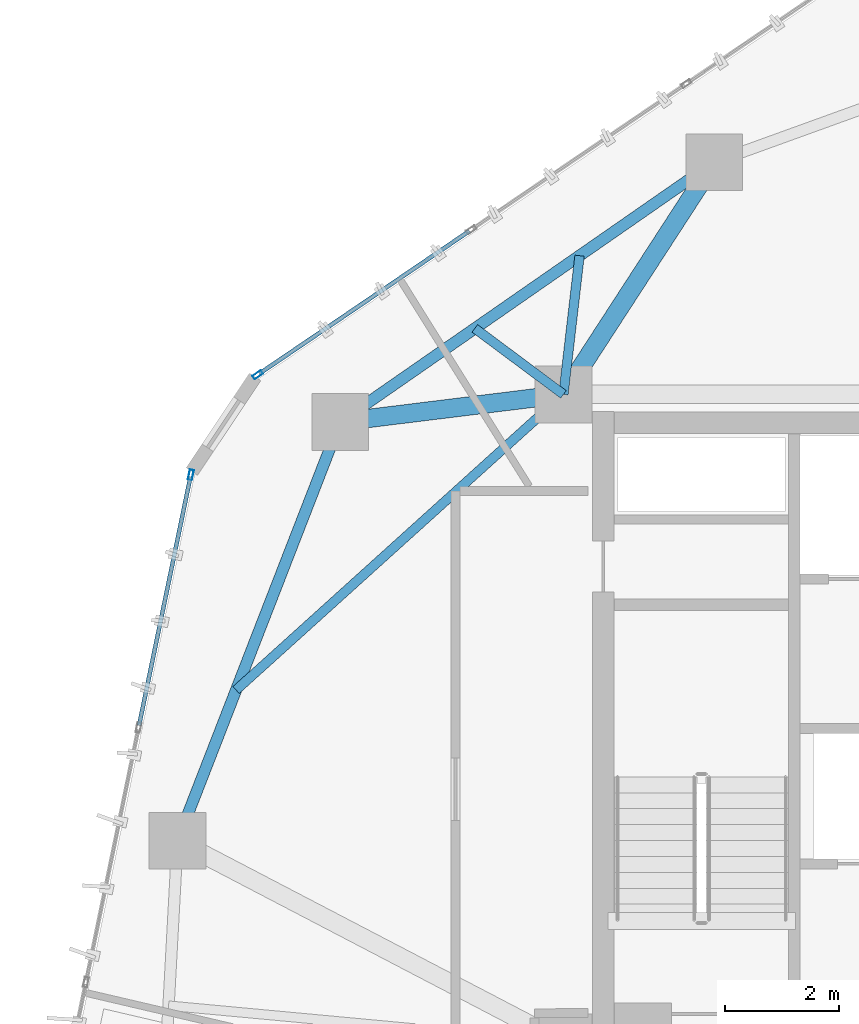
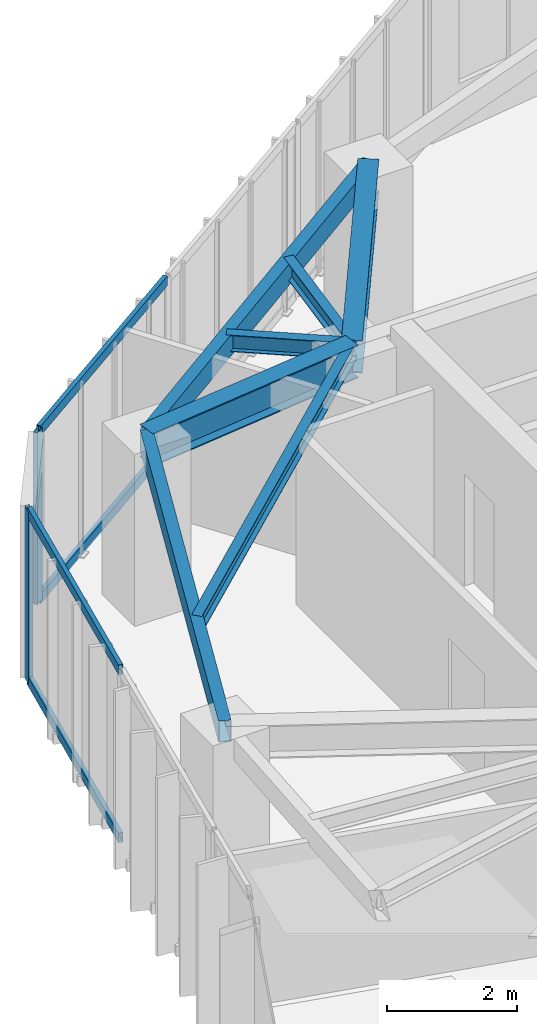
# One storey, part 7 of 20: 7 beams, 6 members, 2 elements without a shape of their own.
"""IFC4 building model written with IfcOpenShell, lengths in metres."""

from ifc_helpers import new_model, si_unit, direction, frame, origin, origin_2d, place, context, subcontext, project, spatial, hollow_rectangle, i_section, extrude, source, transform, mapped, material, layer, layer_set, material_profile, profile_set, type_object, type_shapes, element, aggregate, save


model = new_model("IFC4")

# Units and contexts
model_context = context("Model", 3, precision=1e-05, world=origin(), true_north=direction((0.0, 1.0)))
body_context = subcontext(model_context, "Body", "Model", "MODEL_VIEW")
ifc_project = project(units=[si_unit("LENGTHUNIT", "METRE"), si_unit("AREAUNIT", "SQUARE_METRE"), si_unit("VOLUMEUNIT", "CUBIC_METRE"), si_unit("PLANEANGLEUNIT", "RADIAN"), si_unit("MASSUNIT", "GRAM", prefix="KILO")], contexts=[model_context])

# Site, building, storey
site_placement = place(None, origin())
site = spatial("IfcSite", under=ifc_project, at=site_placement, CompositionType="ELEMENT")
building_placement = place(site_placement, origin())
building = spatial("IfcBuilding", under=site, at=building_placement, Name="Talar Marvaseh", CompositionType="ELEMENT")
storey_placement = place(building_placement, frame((0.0, 0.0, 191.5)))
storey = spatial("IfcBuildingStorey", under=building, at=storey_placement, Name="L50", CompositionType="ELEMENT", Elevation=191.5)

# Beams
ifc_material_1 = material(Name="Steel S355", Category="steel")
ifc_material_profile_1 = material_profile(ifc_material_1, hollow_rectangle(XDim=0.199951171875, YDim=0.39990234375, WallThickness=0.013916015625, at=origin_2d()), Name="RHS400x200x14")
ifc_profile_set_1 = profile_set([ifc_material_profile_1], Name="Steel S355")
beam_type_1 = type_object("IfcBeamType", Name="Zone 3 Perimeter Spandrel Beam RHS400x200x14", PredefinedType="SPANDREL", material=ifc_profile_set_1)
beam_1_placement = place(storey_placement, frame((11.908935546875, 29.044921875, 3.030029296875), z_axis=(0.362169134611, 0.932112395548, 0.0), x_axis=(-0.932112395548, 0.362169134611, 0.0)))
element("IfcBeam", 1, at=beam_1_placement, inside=storey, type_object=beam_type_1, Name="L50 Zone 3 Perimeter Spandrel Beam RHS400x200x14", PredefinedType="SPANDREL", context=body_context, shape_type="SweptSolid", body=[
    extrude(hollow_rectangle(XDim=0.199951171875, YDim=0.39990234375, WallThickness=0.013916015625, at=origin_2d()), origin(), (0.0, 0.0, 1.0), 7.907958984375),
])
beam_2_placement = place(storey_placement, frame((14.77294921875, 36.416015625, 3.030029296875), z_axis=(0.821296978901, 0.570500896098, 0.0), x_axis=(-0.570500896098, 0.821296978901, 0.0)))
element("IfcBeam", 2, at=beam_2_placement, inside=storey, type_object=beam_type_1, Name="L50 Zone 3 Perimeter Spandrel Beam RHS400x200x14", PredefinedType="SPANDREL", context=body_context, shape_type="SweptSolid", body=[
    extrude(hollow_rectangle(XDim=0.199951171875, YDim=0.39990234375, WallThickness=0.013916015625, at=origin_2d()), origin(), (0.0, 0.0, 1.0), 8.0107421875),
])
ifc_material_profile_2 = material_profile(ifc_material_1, i_section(OverallWidth=0.324951171875, OverallDepth=0.615966796875, WebThickness=0.013916015625, FlangeThickness=0.021484375, at=origin_2d()), Name="W610x174")
ifc_profile_set_2 = profile_set([ifc_material_profile_2], Name="Steel S355")
beam_type_2 = type_object("IfcBeamType", Name="Zone 3 Radial Floor Girder W610x174", PredefinedType="BEAM", material=ifc_profile_set_2)
beam_3_placement = place(storey_placement, frame((14.77294921875, 36.416015625, 2.922119140625), z_axis=(0.99249373738, 0.122295467049, 0.0), x_axis=(-0.122295467049, 0.99249373738, 0.0)))
element("IfcBeam", 3, at=beam_3_placement, inside=storey, type_object=beam_type_2, Name="L50 Zone 3 Radial Floor Girder W610x174", PredefinedType="BEAM", context=body_context, shape_type="SweptSolid", body=[
    extrude(i_section(OverallWidth=0.324951171875, OverallDepth=0.615966796875, WebThickness=0.013916015625, FlangeThickness=0.021484375, at=origin_2d()), origin(), (0.0, 0.0, 1.0), 3.956787109375),
])
beam_4_placement = place(storey_placement, frame((21.35205078125, 40.986083984375, 2.922119140625), z_axis=(-0.544422757063, -0.838810980849, 0.0), x_axis=(0.838810980849, -0.544422757063, 0.0)))
element("IfcBeam", 4, at=beam_4_placement, inside=storey, type_object=beam_type_2, Name="L50 Zone 3 Radial Floor Girder W610x174", PredefinedType="BEAM", context=body_context, shape_type="SweptSolid", body=[
    extrude(i_section(OverallWidth=0.324951171875, OverallDepth=0.615966796875, WebThickness=0.013916015625, FlangeThickness=0.021484375, at=origin_2d()), origin(), (0.0, 0.0, 1.0), 4.871337890625),
])
ifc_material_profile_3 = material_profile(ifc_material_1, i_section(OverallWidth=0.166015625, OverallDepth=0.31298828125, WebThickness=0.006591796875, FlangeThickness=0.01123046875, at=origin_2d()), Name="W310x45")
ifc_profile_set_3 = profile_set([ifc_material_profile_3], Name="Steel S355")
beam_type_3 = type_object("IfcBeamType", Name="Zone 3 Secondary Floor Joist W310x45", PredefinedType="JOIST", material=ifc_profile_set_3)
beam_5_placement = place(storey_placement, frame((12.93994140625, 31.698486328125, 3.073486328125), z_axis=(0.74217784775, 0.670202985899, 0.0), x_axis=(-0.670202985899, 0.74217784775, 0.0)))
element("IfcBeam", 5, at=beam_5_placement, inside=storey, type_object=beam_type_3, Name="L50 Zone 3 Secondary Floor Joist W310x45", PredefinedType="JOIST", context=body_context, shape_type="SweptSolid", body=[
    extrude(i_section(OverallWidth=0.166015625, OverallDepth=0.31298828125, WebThickness=0.006591796875, FlangeThickness=0.01123046875, at=origin_2d()), origin(), (0.0, 0.0, 1.0), 7.760986328125),
])
beam_6_placement = place(storey_placement, frame((17.141357421875, 38.061279296875, 3.073486328125), z_axis=(0.801865127607, -0.597505077072, 0.0), x_axis=(0.597505077072, 0.801865127607, 0.0)))
element("IfcBeam", 6, at=beam_6_placement, inside=storey, type_object=beam_type_3, Name="L50 Zone 3 Secondary Floor Joist W310x45", PredefinedType="JOIST", context=body_context, shape_type="SweptSolid", body=[
    extrude(i_section(OverallWidth=0.166015625, OverallDepth=0.31298828125, WebThickness=0.006591796875, FlangeThickness=0.01123046875, at=origin_2d()), origin(), (0.0, 0.0, 1.0), 1.943603515625),
])
beam_7_placement = place(storey_placement, frame((18.983642578125, 39.3408203125, 3.073486328125), z_axis=(-0.115446145895, -0.993313740667, 0.0), x_axis=(0.993313740667, -0.115446145895, 0.0)))
element("IfcBeam", 7, at=beam_7_placement, inside=storey, type_object=beam_type_3, Name="L50 Zone 3 Secondary Floor Joist W310x45", PredefinedType="JOIST", context=body_context, shape_type="SweptSolid", body=[
    extrude(i_section(OverallWidth=0.166015625, OverallDepth=0.31298828125, WebThickness=0.006591796875, FlangeThickness=0.01123046875, at=origin_2d()), origin(), (0.0, 0.0, 1.0), 2.457275390625),
])

# Curtain wall, member
ifc_material_2 = material(Name="Architectural Aluminium", Category="aluminium")
ifc_layer = layer(ifc_material_2, 0.18994140625)
ifc_layer_set = layer_set([ifc_layer], Name="Architectural Aluminium")
curtain_wall_type = type_object("IfcCurtainWallType", Name="Unitised Solar Atelier Curtain Wall Z3", PredefinedType="NOTDEFINED", material=ifc_layer_set)
curtain_wall_1_placement = place(storey_placement, origin())
curtain_wall_1 = element("IfcCurtainWall", 8, at=curtain_wall_1_placement, inside=storey, type_object=curtain_wall_type, Name="L50 Unitised Solar Atelier Curtain Wall Z3", PredefinedType="NOTDEFINED")
ifc_material_profile_4 = material_profile(ifc_material_2, hollow_rectangle(XDim=0.074951171875, YDim=0.179931640625, WallThickness=0.0048828125, at=origin_2d()), Name="RHS180x75x5")
ifc_profile_set_4 = profile_set([ifc_material_profile_4], Name="Architectural Aluminium")
member_type_1 = type_object("IfcMemberType", Name="Unitised Curtain Wall Standard Mullion RHS180x75x5", PredefinedType="MULLION", material=ifc_profile_set_4)
shared_shape_1 = source(origin(), body_context, "Body", "SweptSolid", [
    extrude(hollow_rectangle(XDim=0.074951171875, YDim=0.179931640625, WallThickness=0.0048828125, at=origin_2d()), origin(), (0.0, 0.0, 1.0), 3.22998046875),
])
type_shapes(member_type_1, [shared_shape_1])
member_1_placement = place(storey_placement, frame((12.144287109375, 35.484619140625, 0.0), z_axis=(0.0, 0.0, 1.0), x_axis=(-0.979286418832, 0.202479899967, 0.0)))
member_1 = element("IfcMember", 9, at=member_1_placement, type_object=member_type_1, Name="CW-Z3 mullion 4", PredefinedType="MULLION", context=body_context, shape_type="MappedRepresentation", body=[
    mapped(shared_shape_1, transform((0.0, 0.0, 0.0), x_axis=(1.0, 0.0, 0.0), y_axis=(0.0, 1.0, 0.0), z_axis=(0.0, 0.0, 1.0), scale=1.0)),
])

curtain_wall_2_placement = place(storey_placement, origin())
curtain_wall_2 = element("IfcCurtainWall", 10, at=curtain_wall_2_placement, inside=storey, type_object=curtain_wall_type, Name="L50 Unitised Solar Atelier Curtain Wall Z3", PredefinedType="NOTDEFINED")
member_2_placement = place(storey_placement, frame((13.32080078125, 37.245361328125, 0.0), z_axis=(0.0, 0.0, 1.0), x_axis=(-0.561827090488, 0.827254688952, 0.0)))
member_2 = element("IfcMember", 11, at=member_2_placement, type_object=member_type_1, Name="CW-Z3 mullion 1", PredefinedType="MULLION", context=body_context, shape_type="MappedRepresentation", body=[
    mapped(shared_shape_1, transform((0.0, 0.0, 0.0), x_axis=(1.0, 0.0, 0.0), y_axis=(0.0, 1.0, 0.0), z_axis=(0.0, 0.0, 1.0), scale=1.0)),
])

# Member
ifc_material_profile_5 = material_profile(ifc_material_2, hollow_rectangle(XDim=0.074951171875, YDim=0.179931640625, WallThickness=0.0048828125, at=origin_2d()), Name="RHS180x75x5")
ifc_profile_set_5 = profile_set([ifc_material_profile_5], Name="Architectural Aluminium")
member_type_2 = type_object("IfcMemberType", Name="Unitised Curtain Wall Transom RHS180x75x5", PredefinedType="USERDEFINED", material=ifc_profile_set_5)
shared_shape_2 = source(origin(), body_context, "Body", "SweptSolid", [
    extrude(hollow_rectangle(XDim=0.074951171875, YDim=0.179931640625, WallThickness=0.0048828125, at=origin_2d()), origin(), (0.0, 0.0, 1.0), 4.464599609375),
])
member_3_placement = place(storey_placement, frame((11.232666015625, 31.07568359375, 0.03759765625), z_axis=(0.202495299205, 0.979283234718, 0.0), x_axis=(-0.979283234718, 0.202495299205, 0.0)))
member_3 = element("IfcMember", 12, at=member_3_placement, type_object=member_type_2, Name="CW-Z3 transom 3.1", ObjectType="TRANSOM", PredefinedType="USERDEFINED", context=body_context, shape_type="MappedRepresentation", body=[
    mapped(shared_shape_2, transform((0.0, 0.0, 0.0), x_axis=(1.0, 0.0, 0.0), y_axis=(0.0, 1.0, 0.0), z_axis=(0.0, 0.0, 1.0), scale=1.0)),
])

member_4_placement = place(storey_placement, frame((11.232666015625, 31.07568359375, 3.1923828125), z_axis=(0.202495299205, 0.979283234718, 0.0), x_axis=(-0.979283234718, 0.202495299205, 0.0)))
member_4 = element("IfcMember", 13, at=member_4_placement, type_object=member_type_2, Name="CW-Z3 transom 3.2", ObjectType="TRANSOM", PredefinedType="USERDEFINED", context=body_context, shape_type="MappedRepresentation", body=[
    mapped(shared_shape_2, transform((0.0, 0.0, 0.0), x_axis=(1.0, 0.0, 0.0), y_axis=(0.0, 1.0, 0.0), z_axis=(0.0, 0.0, 1.0), scale=1.0)),
])

aggregate(curtain_wall_1, [member_1, member_3, member_4])

shared_shape_3 = source(origin(), body_context, "Body", "SweptSolid", [
    extrude(hollow_rectangle(XDim=0.074951171875, YDim=0.179931640625, WallThickness=0.0048828125, at=origin_2d()), origin(), (0.0, 0.0, 1.0), 4.46484375),
])
type_shapes(member_type_2, [shared_shape_2, shared_shape_3])
member_5_placement = place(storey_placement, frame((13.351806640625, 37.266357421875, 0.03759765625), z_axis=(0.82724977741, 0.561834322354, 0.0), x_axis=(-0.561834322354, 0.82724977741, 0.0)))
member_5 = element("IfcMember", 14, at=member_5_placement, type_object=member_type_2, Name="CW-Z3 transom 1.1", ObjectType="TRANSOM", PredefinedType="USERDEFINED", context=body_context, shape_type="MappedRepresentation", body=[
    mapped(shared_shape_3, transform((0.0, 0.0, 0.0), x_axis=(1.0, 0.0, 0.0), y_axis=(0.0, 1.0, 0.0), z_axis=(0.0, 0.0, 1.0), scale=1.0)),
])

member_6_placement = place(storey_placement, frame((13.351806640625, 37.266357421875, 3.1923828125), z_axis=(0.82724977741, 0.561834322354, 0.0), x_axis=(-0.561834322354, 0.82724977741, 0.0)))
member_6 = element("IfcMember", 15, at=member_6_placement, type_object=member_type_2, Name="CW-Z3 transom 1.2", ObjectType="TRANSOM", PredefinedType="USERDEFINED", context=body_context, shape_type="MappedRepresentation", body=[
    mapped(shared_shape_3, transform((0.0, 0.0, 0.0), x_axis=(1.0, 0.0, 0.0), y_axis=(0.0, 1.0, 0.0), z_axis=(0.0, 0.0, 1.0), scale=1.0)),
])

aggregate(curtain_wall_2, [member_2, member_5, member_6])

save(model, "model.ifc")
